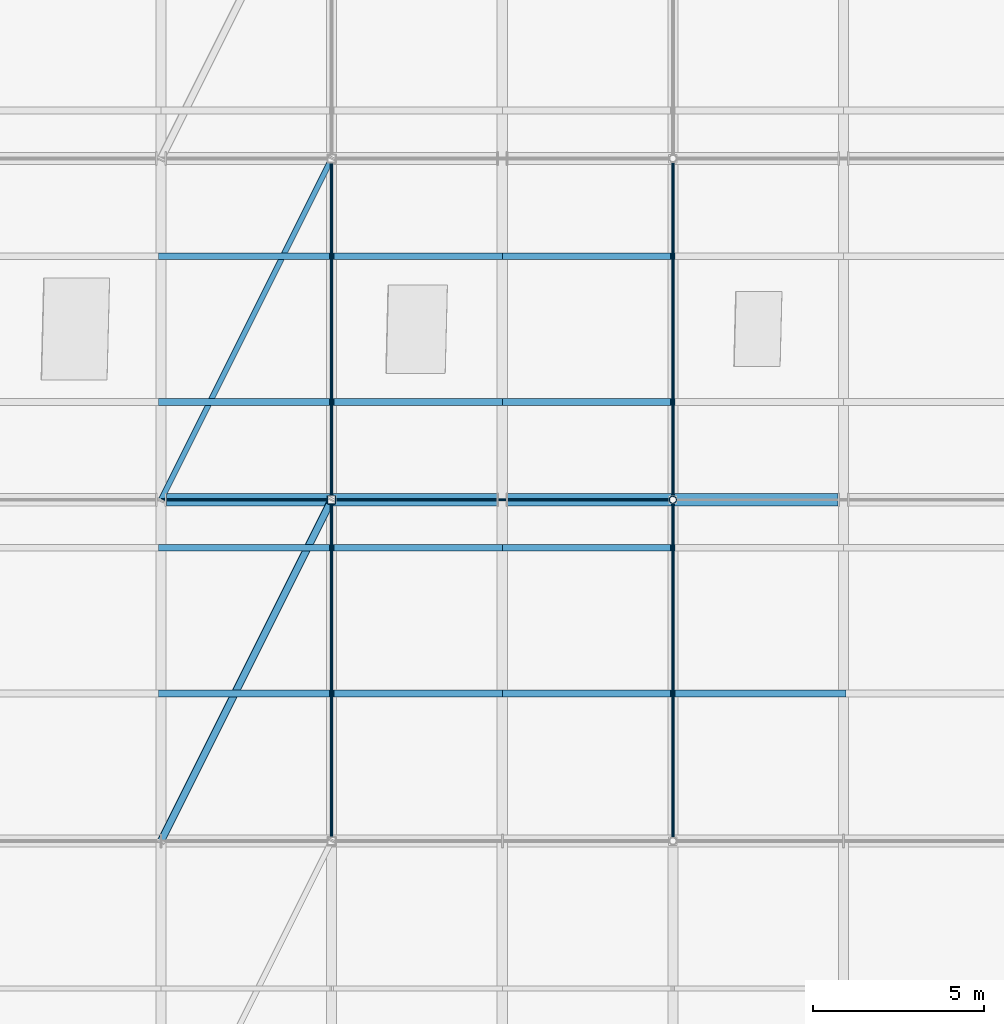
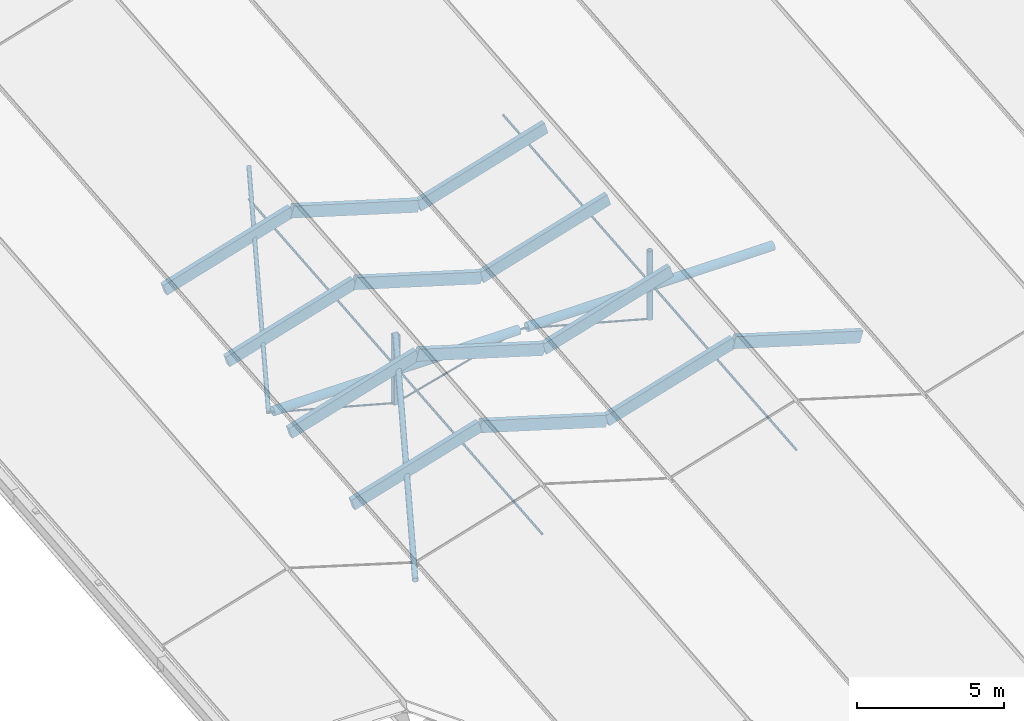
# One storey, part 23 of 90: 24 members, 2 beams.
"""IFC4 building model written with IfcOpenShell, lengths in metres."""

from ifc_helpers import new_model, si_unit, direction, frame, origin, origin_2d, place, context, subcontext, project, spatial, rectangle, hollow_rectangle, circle, hollow_circle, extrude, material, material_profile, profile_set, type_object, element, save


model = new_model("IFC4")

# Units and contexts
model_context = context("Model", 3, precision=1e-05, world=origin(), true_north=direction((0.0, 1.0)))
body_context = subcontext(model_context, "Body", "Model", "MODEL_VIEW")
ifc_project = project(units=[si_unit("LENGTHUNIT", "METRE"), si_unit("AREAUNIT", "SQUARE_METRE"), si_unit("VOLUMEUNIT", "CUBIC_METRE"), si_unit("PLANEANGLEUNIT", "RADIAN"), si_unit("MASSUNIT", "GRAM", prefix="KILO"), si_unit("THERMODYNAMICTEMPERATUREUNIT", "KELVIN"), si_unit("POWERUNIT", "WATT")], contexts=[model_context])

# Site, building, storey
site_placement = place(None, origin())
site = spatial("IfcSite", under=ifc_project, at=site_placement, CompositionType="ELEMENT")
building_placement = place(site_placement, origin())
building = spatial("IfcBuilding", under=site, at=building_placement, Name="Korenveer Ferry Terminal", CompositionType="ELEMENT")
storey_placement = place(building_placement, frame((0.0, 0.0, 22.199951171875)))
storey = spatial("IfcBuildingStorey", under=building, at=storey_placement, Name="RF", CompositionType="ELEMENT", Elevation=22.199951171875)

# Members
ifc_material_1 = material(Name="Steel S355", Category="steel")
ifc_material_profile_1 = material_profile(ifc_material_1, hollow_circle(Radius=0.084228515625, WallThickness=0.010009765625, at=origin_2d()), Name="CHS 168.3x10")
ifc_profile_set_1 = profile_set([ifc_material_profile_1], Name="Steel S355")
member_type_1 = type_object("IfcMemberType", Name="STR-BRC-CHS168", PredefinedType="BRACE", material=ifc_profile_set_1)
member_1_placement = place(storey_placement, frame((63.0, 60.0, -7.76953125), z_axis=(0.437112017432, 0.874224034865, 0.21134195296), x_axis=(-0.894427191, 0.4472135955, 0.0)))
element("IfcMember", 1, at=member_1_placement, inside=storey, type_object=member_type_1, Name="Roof wind brace BRCRF-B1-Y60", PredefinedType="BRACE", context=body_context, shape_type="SweptSolid", body=[
    extrude(hollow_circle(Radius=0.084228515625, WallThickness=0.010009765625, at=origin_2d()), origin(), (0.0, 0.0, 1.0), 11.438720703125),
])
ifc_material_profile_2 = material_profile(ifc_material_1, hollow_circle(Radius=0.109619140625, WallThickness=0.012451171875, at=origin_2d()), Name="CHS 219.1x12.5")
ifc_profile_set_2 = profile_set([ifc_material_profile_2], Name="Steel S355")
member_type_2 = type_object("IfcMemberType", Name="STR-BRC-CHS219", PredefinedType="BRACE", material=ifc_profile_set_2)
member_2_placement = place(storey_placement, frame((63.0, 50.0, -8.677734375), z_axis=(0.437110045644, 0.874220091289, 0.211362342872), x_axis=(-0.894427191, 0.4472135955, 0.0)))
element("IfcMember", 2, at=member_2_placement, inside=storey, type_object=member_type_2, Name="Roof wind brace BRCRF-B1-Y50", PredefinedType="BRACE", context=body_context, shape_type="SweptSolid", body=[
    extrude(hollow_circle(Radius=0.109619140625, WallThickness=0.012451171875, at=origin_2d()), origin(), (0.0, 0.0, 1.0), 11.438720703125),
])
ifc_material_2 = material(Name="High-strength steel S460", Category="steel")
ifc_material_profile_3 = material_profile(ifc_material_2, circle(Radius=0.0380859375, at=origin_2d()), Name="ROD D76")
ifc_profile_set_3 = profile_set([ifc_material_profile_3], Name="High-strength steel S460")
member_type_3 = type_object("IfcMemberType", Name="STR-CBL-D76", PredefinedType="USERDEFINED", material=ifc_profile_set_3)
for number, where, z_axis, x_axis, name in (
    (3, (63.0, 60.0, -7.76953125), (0.965424337217, 0.0, -0.260683426993), (0.0, 1.0, 0.0), "Roof tension tie cable 31"),
    (4, (73.0, 60.0, -7.76953125), (-0.965424337217, 0.0, -0.260683426993), (0.0, -1.0, 0.0), "Roof tension tie cable 32"),
    (5, (73.0, 60.0, -7.76953125), (0.965424337217, 0.0, -0.260683426993), (0.0, 1.0, 0.0), "Roof tension tie cable 33"),
):
    element("IfcMember", number, at=place(storey_placement, frame(where, z_axis=z_axis, x_axis=x_axis)), inside=storey, type_object=member_type_3, Name=name, ObjectType="CABLE", PredefinedType="USERDEFINED", context=body_context, shape_type="SweptSolid", body=[
        extrude(circle(Radius=0.0380859375, at=origin_2d()), origin(), (0.0, 0.0, 1.0), 5.178955078125),
    ])
ifc_material_profile_4 = material_profile(ifc_material_2, circle(Radius=0.044921875, at=origin_2d()), Name="ROD D90")
ifc_profile_set_4 = profile_set([ifc_material_profile_4], Name="High-strength steel S460")
member_type_4 = type_object("IfcMemberType", Name="STR-CBL-D90", PredefinedType="USERDEFINED", material=ifc_profile_set_4)
for number, where, z_axis, x_axis, name in (
    (6, (68.0, 50.0, -8.517822265625), (0.0, 0.995903364261, 0.090423940715), (-1.0, 0.0, 0.0), "Longitudinal jaw-stay cable 104"),
    (7, (68.0, 60.0, -7.60986328125), (0.0, 0.995903364261, 0.090423940715), (-1.0, 0.0, 0.0), "Longitudinal jaw-stay cable 105"),
    (8, (78.0, 50.0, -8.517822265625), (0.0, 0.995903364261, 0.090423940715), (-1.0, 0.0, 0.0), "Longitudinal jaw-stay cable 109"),
    (9, (78.0, 60.0, -7.60986328125), (0.0, 0.995903364261, 0.090423940715), (-1.0, 0.0, 0.0), "Longitudinal jaw-stay cable 110"),
):
    element("IfcMember", number, at=place(storey_placement, frame(where, z_axis=z_axis, x_axis=x_axis)), inside=storey, type_object=member_type_4, Name=name, ObjectType="CABLE", PredefinedType="USERDEFINED", context=body_context, shape_type="SweptSolid", body=[
        extrude(circle(Radius=0.044921875, at=origin_2d()), origin(), (0.0, 0.0, 1.0), 10.041015625),
    ])
ifc_material_3 = material(Name="Glulam GL28h", Category="wood")
ifc_material_profile_5 = material_profile(ifc_material_3, rectangle(XDim=0.199951171875, YDim=0.47998046875, at=origin_2d()), Name="GL 200x480")
ifc_profile_set_5 = profile_set([ifc_material_profile_5], Name="Glulam GL28h")
member_type_5 = type_object("IfcMemberType", Name="STR-PUR-GL200", PredefinedType="PURLIN", material=ifc_profile_set_5)
for number, where, z_axis, x_axis, name in (
    (10, (63.0, 54.321533203125, -8.126953125), (0.957310140112, 0.0, 0.289062788401), (0.0, 1.0, 0.0), "Folded roof glulam purlin 49"),
    (11, (63.0, 58.5927734375, -7.739013671875), (0.957310140112, 0.0, 0.289062788401), (0.0, 1.0, 0.0), "Folded roof glulam purlin 50"),
    (12, (63.0, 62.8642578125, -7.351318359375), (0.957310140112, 0.0, 0.289062788401), (0.0, 1.0, 0.0), "Folded roof glulam purlin 51"),
    (13, (63.0, 67.1357421875, -6.96337890625), (0.957310140112, 0.0, 0.289062788401), (0.0, 1.0, 0.0), "Folded roof glulam purlin 52"),
    (14, (68.0, 54.321533203125, -6.6171875), (0.957310140112, 0.0, -0.289062788401), (0.0, 1.0, 0.0), "Folded roof glulam purlin 55"),
    (15, (68.0, 58.5927734375, -6.229248046875), (0.957310140112, 0.0, -0.289062788401), (0.0, 1.0, 0.0), "Folded roof glulam purlin 56"),
    (16, (68.0, 62.8642578125, -5.841552734375), (0.957310140112, 0.0, -0.289062788401), (0.0, 1.0, 0.0), "Folded roof glulam purlin 57"),
    (17, (68.0, 67.1357421875, -5.45361328125), (0.957310140112, 0.0, -0.289062788401), (0.0, 1.0, 0.0), "Folded roof glulam purlin 58"),
    (18, (73.0, 54.321533203125, -8.126953125), (0.957310140112, 0.0, 0.289062788401), (0.0, 1.0, 0.0), "Folded roof glulam purlin 85"),
    (19, (73.0, 58.5927734375, -7.739013671875), (0.957310140112, 0.0, 0.289062788401), (0.0, 1.0, 0.0), "Folded roof glulam purlin 86"),
    (20, (73.0, 62.8642578125, -7.351318359375), (0.957310140112, 0.0, 0.289062788401), (0.0, 1.0, 0.0), "Folded roof glulam purlin 87"),
    (21, (73.0, 67.1357421875, -6.96337890625), (0.957310140112, 0.0, 0.289062788401), (0.0, 1.0, 0.0), "Folded roof glulam purlin 88"),
    (22, (78.0, 54.321533203125, -6.6171875), (0.957310140112, 0.0, -0.289062788401), (0.0, 1.0, 0.0), "Folded roof glulam purlin 91"),
):
    element("IfcMember", number, at=place(storey_placement, frame(where, z_axis=z_axis, x_axis=x_axis)), inside=storey, type_object=member_type_5, Name=name, PredefinedType="PURLIN", context=body_context, shape_type="SweptSolid", body=[
        extrude(rectangle(XDim=0.199951171875, YDim=0.47998046875, at=origin_2d()), origin(), (0.0, 0.0, 1.0), 5.222900390625),
    ])

# Beams
ifc_material_profile_6 = material_profile(ifc_material_1, hollow_circle(Radius=0.177734375, WallThickness=0.01611328125, at=origin_2d()), Name="CHS 355.6x16")
ifc_profile_set_6 = profile_set([ifc_material_profile_6], Name="Steel S355")
beam_type = type_object("IfcBeamType", Name="STR-RFG-CHS355", PredefinedType="USERDEFINED", material=ifc_profile_set_6)
for number, where, z_axis, x_axis, name in (
    (23, (63.159912109375, 60.0, -7.76953125), (1.0, 0.0, 0.0), (0.0, 1.0, 0.0), "Roof transverse tie girder 104"),
    (24, (73.159912109375, 60.0, -7.76953125), (1.0, 0.0, 0.0), (0.0, 1.0, 0.0), "Roof transverse tie girder 105"),
):
    element("IfcBeam", number, at=place(storey_placement, frame(where, z_axis=z_axis, x_axis=x_axis)), inside=storey, type_object=beam_type, Name=name, ObjectType="ROOF GIRDER", PredefinedType="USERDEFINED", context=body_context, shape_type="SweptSolid", body=[
        extrude(hollow_circle(Radius=0.177734375, WallThickness=0.01611328125, at=origin_2d()), origin(), (0.0, 0.0, 1.0), 9.68017578125),
    ])

# Members
ifc_material_profile_7 = material_profile(ifc_material_1, hollow_circle(Radius=0.109619140625, WallThickness=0.012451171875, at=origin_2d()), Name="CHS 219.1x12.5")
ifc_profile_set_7 = profile_set([ifc_material_profile_7], Name="Steel S355")
member_type_6 = type_object("IfcMemberType", Name="STR-STT-CHS219", PredefinedType="STRUT", material=ifc_profile_set_7)
member_3_placement = place(storey_placement, frame((78.0, 60.0, -9.11962890625), z_axis=(0.0, 0.0, 1.0), x_axis=(1.0, 0.0, 0.0)))
element("IfcMember", 25, at=member_3_placement, inside=storey, type_object=member_type_6, Name="Roof king-post strut STTKP-Y60-B2", PredefinedType="STRUT", context=body_context, shape_type="SweptSolid", body=[
    extrude(hollow_circle(Radius=0.109619140625, WallThickness=0.012451171875, at=origin_2d()), origin(), (0.0, 0.0, 1.0), 2.859619140625),
])
ifc_material_profile_8 = material_profile(ifc_material_1, hollow_rectangle(XDim=0.25, YDim=0.25, WallThickness=0.012451171875, InnerFilletRadius=0.012451171875, OuterFilletRadius=0.018798828125, at=origin_2d()), Name="SHS 250x250x12.5")
ifc_profile_set_8 = profile_set([ifc_material_profile_8], Name="Steel S355")
member_type_7 = type_object("IfcMemberType", Name="STR-STT-SHS250", PredefinedType="STRUT", material=ifc_profile_set_8)
member_4_placement = place(storey_placement, frame((68.0, 60.0, -9.11962890625), z_axis=(0.0, 0.0, 1.0), x_axis=(1.0, 0.0, 0.0)))
element("IfcMember", 26, at=member_4_placement, inside=storey, type_object=member_type_7, Name="Roof king-post strut STTKP-Y60-B1", PredefinedType="STRUT", context=body_context, shape_type="SweptSolid", body=[
    extrude(hollow_rectangle(XDim=0.25, YDim=0.25, WallThickness=0.012451171875, InnerFilletRadius=0.012451171875, OuterFilletRadius=0.018798828125, at=origin_2d()), origin(), (0.0, 0.0, 1.0), 2.859619140625),
])

save(model, "model.ifc")
